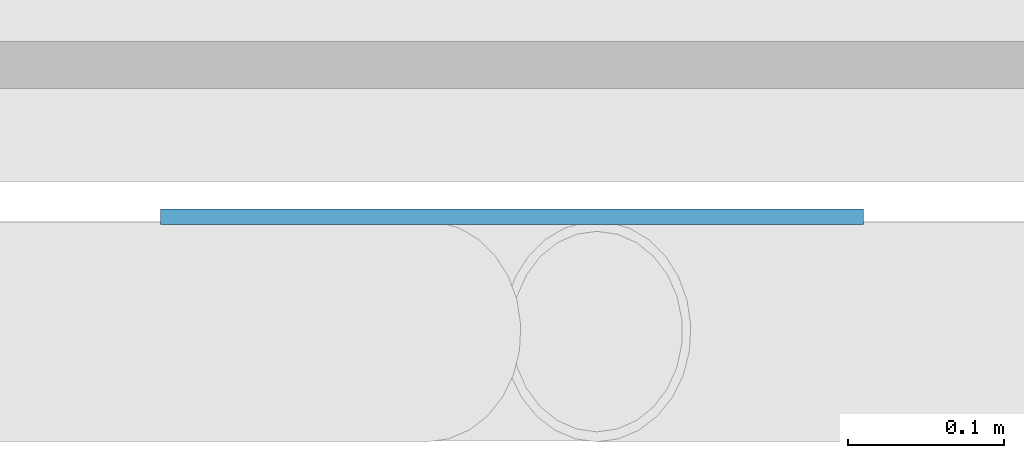
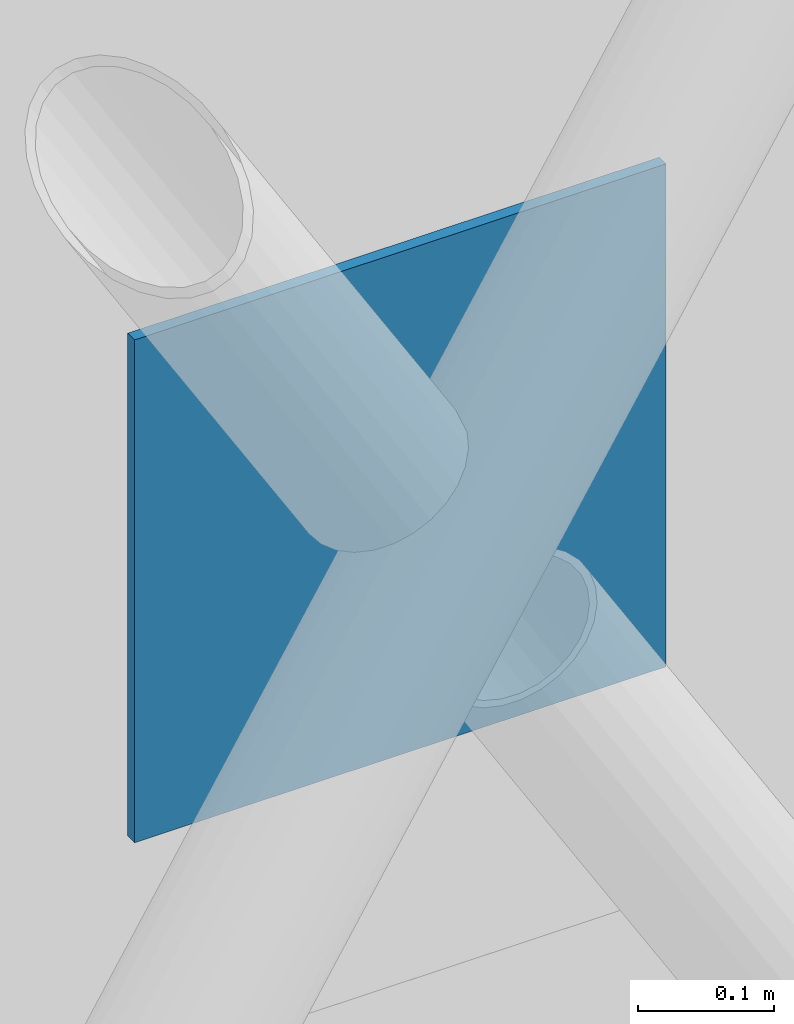
# One storey, part 15 of 22: 1 plate.
"""IFC4 building model written with IfcOpenShell, lengths in metres."""

import ifcopenshell
import ifcopenshell.guid

model = None  # the IFC model being written
_history = None  # IfcOwnerHistory: only IFC2X3 demands one
_inside = {}  # id of a spatial element -> (the spatial element, [elements in it])
_under = {}  # id of a project, library or spatial element -> (it, [spatial elements below it])
_declared = {}  # id of a project -> (the project, [libraries it declares])
_typed = {}  # id of a type object -> (the type object, [elements of that type])
_made_of = {}  # id of a material, layer set ... -> (it, [elements and type objects made of it])


def new_model(schema):
    """Start an empty IFC model of exactly this schema.

    Asked for "IFC4X3", IfcOpenShell would pick the latest addendum, in which some entities
    have other attributes; the version numbers below select the first issue.
    IFC2X3 requires an IfcOwnerHistory on every rooted entity: one is made here for all.
    """
    global model, _history
    if schema == "IFC4X3":
        model = ifcopenshell.file(schema_version=(4, 3, 0, 0))
    else:
        model = ifcopenshell.file(schema=schema)
    _inside.clear()
    _under.clear()
    _declared.clear()
    _typed.clear()
    _made_of.clear()
    _history = None
    if model.schema == "IFC2X3":
        org = make("IfcOrganization", Name="unknown")
        user = make(
            "IfcPersonAndOrganization",
            ThePerson=make("IfcPerson", FamilyName="unknown"),
            TheOrganization=org,
        )
        app = make(
            "IfcApplication",
            ApplicationDeveloper=org,
            Version="unknown",
            ApplicationFullName="unknown",
            ApplicationIdentifier="unknown",
        )
        _history = make(
            "IfcOwnerHistory",
            OwningUser=user,
            OwningApplication=app,
            ChangeAction="ADDED",
            CreationDate=0,
        )
    return model


def make(cls, **values):
    """One entity of the class cls with the attributes given. An attribute that is None is left unset."""
    return model.create_entity(
        cls, **{name: value for name, value in values.items() if value is not None}
    )


def rooted(cls, **values):
    """An entity with a GlobalId (a new one), such as an element, a storey or a relation."""
    return make(cls, GlobalId=ifcopenshell.guid.new(), OwnerHistory=_history, **values)


def si_unit(unit_type, name, prefix=None):
    """IfcSIUnit, for example si_unit("LENGTHUNIT", "METRE", prefix="MILLI")."""
    return make("IfcSIUnit", UnitType=unit_type, Prefix=prefix, Name=name)


def assignment(units):
    """IfcUnitAssignment: the units of a project."""
    return None if units is None else make("IfcUnitAssignment", Units=units)


def point(xyz):
    """IfcCartesianPoint."""
    return None if xyz is None else make("IfcCartesianPoint", Coordinates=xyz)


def direction(xyz):
    """IfcDirection."""
    return None if xyz is None else make("IfcDirection", DirectionRatios=xyz)


def frame(location, z_axis=None, x_axis=None):
    """IfcAxis2Placement3D, a coordinate frame: its origin and axes. An axis left out is left unset."""
    return make(
        "IfcAxis2Placement3D",
        Location=point(location),
        Axis=direction(z_axis),
        RefDirection=direction(x_axis),
    )


def frame_2d(location, x_axis=None):
    """IfcAxis2Placement2D, a coordinate frame in the plane: its origin and x axis."""
    return make(
        "IfcAxis2Placement2D", Location=point(location), RefDirection=direction(x_axis)
    )


def origin():
    """The frame at (0, 0, 0) with its axes left unset."""
    return frame((0.0, 0.0, 0.0))


def origin_2d():
    """The frame at (0, 0) in the plane with its x axis left unset."""
    return frame_2d((0.0, 0.0))


def place(relative_to, where):
    """IfcLocalPlacement: puts the frame where relative to a parent placement (None: the world)."""
    return make(
        "IfcLocalPlacement", PlacementRelTo=relative_to, RelativePlacement=where
    )


def context(
    kind, dimensions, precision=None, world=None, true_north=None, identifier=None
):
    """IfcGeometricRepresentationContext, for example the 3D "Model" context."""
    return make(
        "IfcGeometricRepresentationContext",
        ContextIdentifier=identifier,
        ContextType=kind,
        CoordinateSpaceDimension=dimensions,
        Precision=precision,
        WorldCoordinateSystem=world,
        TrueNorth=true_north,
    )


def subcontext(parent, identifier, kind, view, scale=None):
    """IfcGeometricRepresentationSubContext, for example "Body" below "Model"."""
    return make(
        "IfcGeometricRepresentationSubContext",
        ContextIdentifier=identifier,
        ContextType=kind,
        ParentContext=parent,
        TargetScale=scale,
        TargetView=view,
    )


def project(units=None, contexts=None):
    """IfcProject with its units and contexts."""
    return rooted(
        "IfcProject",
        Name="project",
        RepresentationContexts=contexts,
        UnitsInContext=assignment(units),
    )


def spatial(cls, under=None, at=None, **own):
    """A site, building, storey or space (cls), placed at a placement, below another one or the project."""
    s = rooted(cls, ObjectPlacement=at, **own)
    if under is not None:
        _under.setdefault(under.id(), (under, []))[1].append(s)
    return s


def profile(cls, at=None, kind="AREA", **sizes):
    """A parametric profile (cls). Its sizes go by their IFC names, for example OverallWidth=200.0."""
    return make(cls, ProfileType=kind, Position=at, **sizes)


def rectangle(**sizes):
    """IfcRectangleProfileDef."""
    return profile("IfcRectangleProfileDef", **sizes)


def extrude(swept, where, along, depth):
    """IfcExtrudedAreaSolid: the profile swept, set in the frame where, extruded along a direction by depth."""
    return make(
        "IfcExtrudedAreaSolid",
        SweptArea=swept,
        Position=where,
        ExtrudedDirection=direction(along),
        Depth=depth,
    )


def shape(context_of_items, identifier, shape_type, items):
    """IfcShapeRepresentation: the items that make up one representation, for example the "Body"."""
    return make(
        "IfcShapeRepresentation",
        ContextOfItems=context_of_items,
        RepresentationIdentifier=identifier,
        RepresentationType=shape_type,
        Items=items,
    )


def material(Name=None, Category=None):
    """IfcMaterial."""
    return make("IfcMaterial", Name=Name, Category=Category)


def layer(
    of_material, thickness, ventilated=None, Name=None, Category=None, Priority=None
):
    """IfcMaterialLayer: one layer of a wall or slab, of a material (None: an air gap)."""
    return make(
        "IfcMaterialLayer",
        Material=of_material,
        LayerThickness=thickness,
        IsVentilated=ventilated,
        Name=Name,
        Category=Category,
        Priority=Priority,
    )


def layer_set(layers, Name=None):
    """IfcMaterialLayerSet."""
    return make("IfcMaterialLayerSet", MaterialLayers=layers, LayerSetName=Name)


def made_of(thing, what):
    """Note that an element or type object is made of a material, layer set ...; save() writes the relation."""
    if what is not None:
        _made_of.setdefault(what.id(), (what, []))[1].append(thing)
    return thing


def type_object(cls, material=None, **own):
    """A type object (cls), such as IfcWallType, which elements share."""
    return made_of(rooted(cls, **own), material)


def element(
    cls,
    number,
    at=None,
    inside=None,
    cuts=None,
    type_object=None,
    material=None,
    context=None,
    identifier="Body",
    shape_type=None,
    held_by="IfcProductDefinitionShape",
    body=None,
    shapes=None,
    **own,
):
    """One element of the class cls, such as IfcWall. Its Tag is "e" and its number.

    at: its placement. inside: the storey or other place that contains it. cuts: it is an
    opening in that element (IfcRelVoidsElement). A single representation is given by context,
    identifier, shape_type and body (its items); several are given by shapes. held_by: the class
    of the entity that holds the representations. save() writes the other relations.
    """
    e = rooted(cls, Tag="e%d" % number, ObjectPlacement=at, **own)
    if body is not None:
        shapes = [shape(context, identifier, shape_type, body)]
    if shapes is not None:
        e.Representation = make(held_by, Representations=shapes)
    if inside is not None:
        _inside.setdefault(inside.id(), (inside, []))[1].append(e)
    if cuts is not None:
        rooted(
            "IfcRelVoidsElement", RelatingBuildingElement=cuts, RelatedOpeningElement=e
        )
    if type_object is not None:
        _typed.setdefault(type_object.id(), (type_object, []))[1].append(e)
    return made_of(e, material)


def aggregate(whole, parts):
    """IfcRelAggregates: a whole, such as a stair, and the parts it consists of."""
    return rooted("IfcRelAggregates", RelatingObject=whole, RelatedObjects=parts)


def save(model, path):
    """Write the relations noted so far, then the file.

    IfcRelAggregates (storeys below a building ...), IfcRelContainedInSpatialStructure (elements
    in a storey), IfcRelDefinesByType, IfcRelAssociatesMaterial and IfcRelDeclares: one each for
    every whole, place, type object, material and project.
    """
    for whole, parts in _under.values():
        aggregate(whole, parts)
    for where, things in _inside.values():
        rooted(
            "IfcRelContainedInSpatialStructure",
            RelatedElements=things,
            RelatingStructure=where,
        )
    for kind, things in _typed.values():
        rooted("IfcRelDefinesByType", RelatedObjects=things, RelatingType=kind)
    for what, things in _made_of.values():
        rooted("IfcRelAssociatesMaterial", RelatedObjects=things, RelatingMaterial=what)
    for by, libraries in _declared.values():
        rooted("IfcRelDeclares", RelatingContext=by, RelatedDefinitions=libraries)
    model.write(path)


model = new_model("IFC4")

# Units and contexts
model_context = context("Model", 3, precision=1e-05, world=origin(), true_north=direction((0.0, 1.0)))
body_context = subcontext(model_context, "Body", "Model", "MODEL_VIEW")
ifc_project = project(units=[si_unit("LENGTHUNIT", "METRE"), si_unit("AREAUNIT", "SQUARE_METRE"), si_unit("VOLUMEUNIT", "CUBIC_METRE"), si_unit("PLANEANGLEUNIT", "RADIAN"), si_unit("MASSUNIT", "GRAM", prefix="KILO")], contexts=[model_context])

# Site, building, storey
site_placement = place(None, origin())
site = spatial("IfcSite", under=ifc_project, at=site_placement, CompositionType="ELEMENT")
building_placement = place(site_placement, origin())
building = spatial("IfcBuilding", under=site, at=building_placement, Name="Tide Square Theatres", CompositionType="ELEMENT")
storey_placement = place(building_placement, frame((0.0, 0.0, 24.0)))
storey = spatial("IfcBuildingStorey", under=building, at=storey_placement, Name="L05", CompositionType="ELEMENT", Elevation=24.0)

# Plate
ifc_material = material(Name="Steel ASTM A572 Grade 50", Category="steel")
ifc_layer = layer(ifc_material, 0.010009765625)
ifc_layer_set = layer_set([ifc_layer], Name="Steel ASTM A572 Grade 50")
plate_type = type_object("IfcPlateType", Name="Steel end plate 10 thick", PredefinedType="USERDEFINED", material=ifc_layer_set)
plate_placement = place(storey_placement, frame((84.0, 81.797607421875, 4.27490234375), z_axis=(0.0, 0.0, 1.0), x_axis=(0.0, 1.0, 0.0)))
element("IfcPlate", 1, at=plate_placement, inside=storey, type_object=plate_type, Name="Fly tower brace crossing node plate", ObjectType="END PLATE", PredefinedType="USERDEFINED", context=body_context, shape_type="SweptSolid", body=[
    extrude(rectangle(XDim=0.010009765625, YDim=0.449951171875, at=origin_2d()), origin(), (0.0, 0.0, 1.0), 0.449951171875),
])

save(model, "model.ifc")
